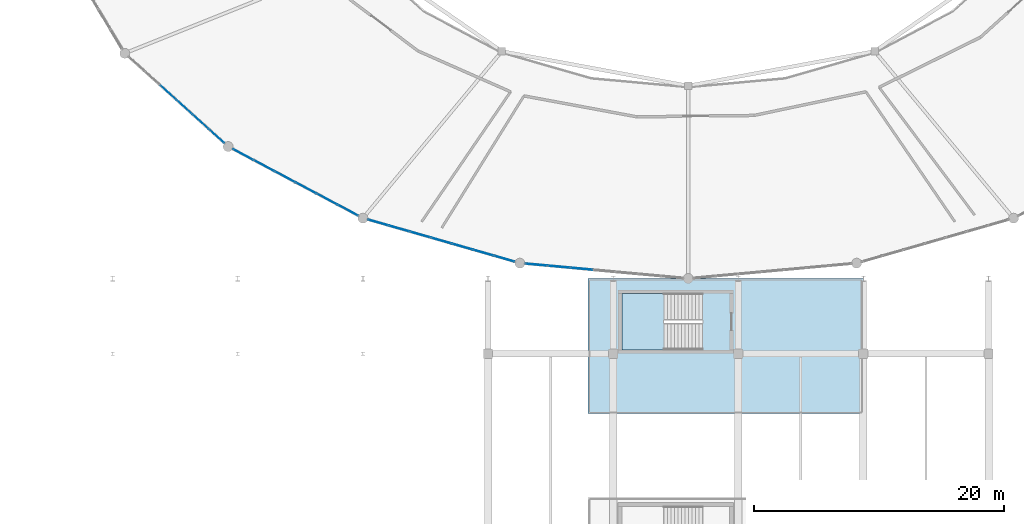
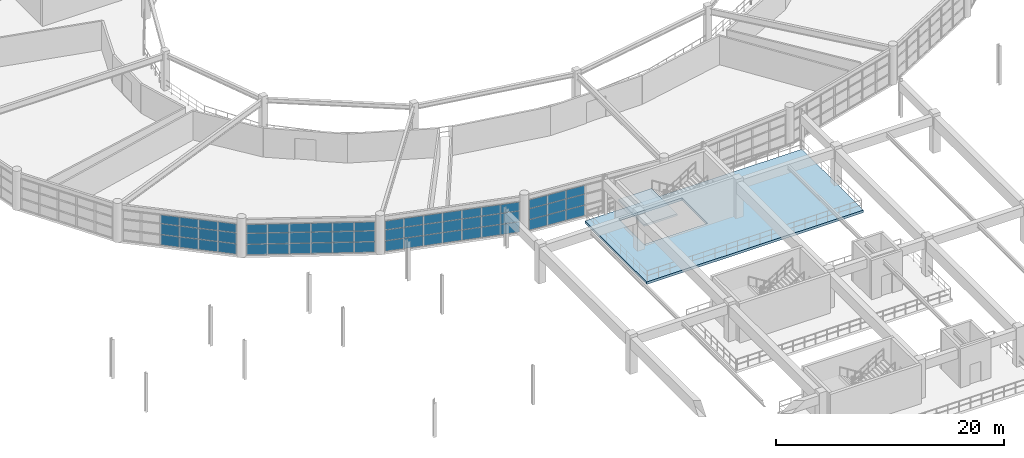
# One storey, part 62 of 100: 60 plates, 2 slabs, 5 elements without a shape of their own.
"""IFC4 building model written with IfcOpenShell, lengths in metres."""

import ifcopenshell
import ifcopenshell.guid

model = None  # the IFC model being written
_history = None  # IfcOwnerHistory: only IFC2X3 demands one
_inside = {}  # id of a spatial element -> (the spatial element, [elements in it])
_under = {}  # id of a project, library or spatial element -> (it, [spatial elements below it])
_declared = {}  # id of a project -> (the project, [libraries it declares])
_typed = {}  # id of a type object -> (the type object, [elements of that type])
_made_of = {}  # id of a material, layer set ... -> (it, [elements and type objects made of it])


def new_model(schema):
    """Start an empty IFC model of exactly this schema.

    Asked for "IFC4X3", IfcOpenShell would pick the latest addendum, in which some entities
    have other attributes; the version numbers below select the first issue.
    IFC2X3 requires an IfcOwnerHistory on every rooted entity: one is made here for all.
    """
    global model, _history
    if schema == "IFC4X3":
        model = ifcopenshell.file(schema_version=(4, 3, 0, 0))
    else:
        model = ifcopenshell.file(schema=schema)
    _inside.clear()
    _under.clear()
    _declared.clear()
    _typed.clear()
    _made_of.clear()
    _history = None
    if model.schema == "IFC2X3":
        org = make("IfcOrganization", Name="unknown")
        user = make(
            "IfcPersonAndOrganization",
            ThePerson=make("IfcPerson", FamilyName="unknown"),
            TheOrganization=org,
        )
        app = make(
            "IfcApplication",
            ApplicationDeveloper=org,
            Version="unknown",
            ApplicationFullName="unknown",
            ApplicationIdentifier="unknown",
        )
        _history = make(
            "IfcOwnerHistory",
            OwningUser=user,
            OwningApplication=app,
            ChangeAction="ADDED",
            CreationDate=0,
        )
    return model


def make(cls, **values):
    """One entity of the class cls with the attributes given. An attribute that is None is left unset."""
    return model.create_entity(
        cls, **{name: value for name, value in values.items() if value is not None}
    )


def rooted(cls, **values):
    """An entity with a GlobalId (a new one), such as an element, a storey or a relation."""
    return make(cls, GlobalId=ifcopenshell.guid.new(), OwnerHistory=_history, **values)


def si_unit(unit_type, name, prefix=None):
    """IfcSIUnit, for example si_unit("LENGTHUNIT", "METRE", prefix="MILLI")."""
    return make("IfcSIUnit", UnitType=unit_type, Prefix=prefix, Name=name)


def assignment(units):
    """IfcUnitAssignment: the units of a project."""
    return None if units is None else make("IfcUnitAssignment", Units=units)


def point(xyz):
    """IfcCartesianPoint."""
    return None if xyz is None else make("IfcCartesianPoint", Coordinates=xyz)


def direction(xyz):
    """IfcDirection."""
    return None if xyz is None else make("IfcDirection", DirectionRatios=xyz)


def frame(location, z_axis=None, x_axis=None):
    """IfcAxis2Placement3D, a coordinate frame: its origin and axes. An axis left out is left unset."""
    return make(
        "IfcAxis2Placement3D",
        Location=point(location),
        Axis=direction(z_axis),
        RefDirection=direction(x_axis),
    )


def frame_2d(location, x_axis=None):
    """IfcAxis2Placement2D, a coordinate frame in the plane: its origin and x axis."""
    return make(
        "IfcAxis2Placement2D", Location=point(location), RefDirection=direction(x_axis)
    )


def origin():
    """The frame at (0, 0, 0) with its axes left unset."""
    return frame((0.0, 0.0, 0.0))


def origin_2d():
    """The frame at (0, 0) in the plane with its x axis left unset."""
    return frame_2d((0.0, 0.0))


def place(relative_to, where):
    """IfcLocalPlacement: puts the frame where relative to a parent placement (None: the world)."""
    return make(
        "IfcLocalPlacement", PlacementRelTo=relative_to, RelativePlacement=where
    )


def context(
    kind, dimensions, precision=None, world=None, true_north=None, identifier=None
):
    """IfcGeometricRepresentationContext, for example the 3D "Model" context."""
    return make(
        "IfcGeometricRepresentationContext",
        ContextIdentifier=identifier,
        ContextType=kind,
        CoordinateSpaceDimension=dimensions,
        Precision=precision,
        WorldCoordinateSystem=world,
        TrueNorth=true_north,
    )


def subcontext(parent, identifier, kind, view, scale=None):
    """IfcGeometricRepresentationSubContext, for example "Body" below "Model"."""
    return make(
        "IfcGeometricRepresentationSubContext",
        ContextIdentifier=identifier,
        ContextType=kind,
        ParentContext=parent,
        TargetScale=scale,
        TargetView=view,
    )


def project(units=None, contexts=None):
    """IfcProject with its units and contexts."""
    return rooted(
        "IfcProject",
        Name="project",
        RepresentationContexts=contexts,
        UnitsInContext=assignment(units),
    )


def spatial(cls, under=None, at=None, **own):
    """A site, building, storey or space (cls), placed at a placement, below another one or the project."""
    s = rooted(cls, ObjectPlacement=at, **own)
    if under is not None:
        _under.setdefault(under.id(), (under, []))[1].append(s)
    return s


def polyline(points):
    """IfcPolyline through the points."""
    return make("IfcPolyline", Points=[point(p) for p in points])


def profile(cls, at=None, kind="AREA", **sizes):
    """A parametric profile (cls). Its sizes go by their IFC names, for example OverallWidth=200.0."""
    return make(cls, ProfileType=kind, Position=at, **sizes)


def rectangle(**sizes):
    """IfcRectangleProfileDef."""
    return profile("IfcRectangleProfileDef", **sizes)


def outline(outer, holes=None, kind="AREA"):
    """IfcArbitraryClosedProfileDef: a profile drawn as a closed curve; with holes, ...WithVoids."""
    if holes is None:
        return make("IfcArbitraryClosedProfileDef", ProfileType=kind, OuterCurve=outer)
    return make(
        "IfcArbitraryProfileDefWithVoids",
        ProfileType=kind,
        OuterCurve=outer,
        InnerCurves=holes,
    )


def extrude(swept, where, along, depth):
    """IfcExtrudedAreaSolid: the profile swept, set in the frame where, extruded along a direction by depth."""
    return make(
        "IfcExtrudedAreaSolid",
        SweptArea=swept,
        Position=where,
        ExtrudedDirection=direction(along),
        Depth=depth,
    )


def shape(context_of_items, identifier, shape_type, items):
    """IfcShapeRepresentation: the items that make up one representation, for example the "Body"."""
    return make(
        "IfcShapeRepresentation",
        ContextOfItems=context_of_items,
        RepresentationIdentifier=identifier,
        RepresentationType=shape_type,
        Items=items,
    )


def material(Name=None, Category=None):
    """IfcMaterial."""
    return make("IfcMaterial", Name=Name, Category=Category)


def layer(
    of_material, thickness, ventilated=None, Name=None, Category=None, Priority=None
):
    """IfcMaterialLayer: one layer of a wall or slab, of a material (None: an air gap)."""
    return make(
        "IfcMaterialLayer",
        Material=of_material,
        LayerThickness=thickness,
        IsVentilated=ventilated,
        Name=Name,
        Category=Category,
        Priority=Priority,
    )


def layer_set(layers, Name=None):
    """IfcMaterialLayerSet."""
    return make("IfcMaterialLayerSet", MaterialLayers=layers, LayerSetName=Name)


def made_of(thing, what):
    """Note that an element or type object is made of a material, layer set ...; save() writes the relation."""
    if what is not None:
        _made_of.setdefault(what.id(), (what, []))[1].append(thing)
    return thing


def type_object(cls, material=None, **own):
    """A type object (cls), such as IfcWallType, which elements share."""
    return made_of(rooted(cls, **own), material)


def element(
    cls,
    number,
    at=None,
    inside=None,
    cuts=None,
    type_object=None,
    material=None,
    context=None,
    identifier="Body",
    shape_type=None,
    held_by="IfcProductDefinitionShape",
    body=None,
    shapes=None,
    **own,
):
    """One element of the class cls, such as IfcWall. Its Tag is "e" and its number.

    at: its placement. inside: the storey or other place that contains it. cuts: it is an
    opening in that element (IfcRelVoidsElement). A single representation is given by context,
    identifier, shape_type and body (its items); several are given by shapes. held_by: the class
    of the entity that holds the representations. save() writes the other relations.
    """
    e = rooted(cls, Tag="e%d" % number, ObjectPlacement=at, **own)
    if body is not None:
        shapes = [shape(context, identifier, shape_type, body)]
    if shapes is not None:
        e.Representation = make(held_by, Representations=shapes)
    if inside is not None:
        _inside.setdefault(inside.id(), (inside, []))[1].append(e)
    if cuts is not None:
        rooted(
            "IfcRelVoidsElement", RelatingBuildingElement=cuts, RelatedOpeningElement=e
        )
    if type_object is not None:
        _typed.setdefault(type_object.id(), (type_object, []))[1].append(e)
    return made_of(e, material)


def aggregate(whole, parts):
    """IfcRelAggregates: a whole, such as a stair, and the parts it consists of."""
    return rooted("IfcRelAggregates", RelatingObject=whole, RelatedObjects=parts)


def save(model, path):
    """Write the relations noted so far, then the file.

    IfcRelAggregates (storeys below a building ...), IfcRelContainedInSpatialStructure (elements
    in a storey), IfcRelDefinesByType, IfcRelAssociatesMaterial and IfcRelDeclares: one each for
    every whole, place, type object, material and project.
    """
    for whole, parts in _under.values():
        aggregate(whole, parts)
    for where, things in _inside.values():
        rooted(
            "IfcRelContainedInSpatialStructure",
            RelatedElements=things,
            RelatingStructure=where,
        )
    for kind, things in _typed.values():
        rooted("IfcRelDefinesByType", RelatedObjects=things, RelatingType=kind)
    for what, things in _made_of.values():
        rooted("IfcRelAssociatesMaterial", RelatedObjects=things, RelatingMaterial=what)
    for by, libraries in _declared.values():
        rooted("IfcRelDeclares", RelatingContext=by, RelatedDefinitions=libraries)
    model.write(path)


model = new_model("IFC4")

# Units and contexts
model_context = context("Model", 3, precision=1e-05, world=origin(), true_north=direction((0.0, 1.0)))
body_context = subcontext(model_context, "Body", "Model", "MODEL_VIEW")
ifc_project = project(units=[si_unit("LENGTHUNIT", "METRE"), si_unit("AREAUNIT", "SQUARE_METRE"), si_unit("VOLUMEUNIT", "CUBIC_METRE"), si_unit("PLANEANGLEUNIT", "RADIAN"), si_unit("MASSUNIT", "GRAM", prefix="KILO")], contexts=[model_context])

# Site, building, storey
site_placement = place(None, origin())
site = spatial("IfcSite", under=ifc_project, at=site_placement, CompositionType="ELEMENT")
building_placement = place(site_placement, origin())
building = spatial("IfcBuilding", under=site, at=building_placement, Name="Kivolera Central Railway Station", CompositionType="ELEMENT")
storey_placement = place(building_placement, frame((0.0, 0.0, 5.39990234375)))
storey = spatial("IfcBuildingStorey", under=building, at=storey_placement, Name="L01", CompositionType="ELEMENT", Elevation=5.39990234375)

# Curtain wall, plates
ifc_material_1 = material(Name="Anodised aluminium", Category="aluminium")
ifc_layer_1 = layer(ifc_material_1, 0.179931640625, Name="Anodised aluminium")
ifc_layer_set_1 = layer_set([ifc_layer_1], Name="Anodised aluminium")
curtain_wall_type_1 = type_object("IfcCurtainWallType", Name="CW-SYS-05", PredefinedType="NOTDEFINED", material=ifc_layer_set_1)
curtain_wall_1_placement = place(storey_placement, origin())
curtain_wall_1 = element("IfcCurtainWall", 1, at=curtain_wall_1_placement, inside=storey, type_object=curtain_wall_type_1, Name="L01 Curtain Wall CW-L01-OVL-14", PredefinedType="NOTDEFINED")
ifc_material_2 = material(Name="Double low-E laminated glass", Category="glass")
ifc_layer_2 = layer(ifc_material_2, 0.02587890625, Name="Double low-E laminated glass")
ifc_layer_set_2 = layer_set([ifc_layer_2], Name="Double low-E laminated glass")
plate_type_1 = type_object("IfcPlateType", Name="CWP-GLZ-1", PredefinedType="CURTAIN_PANEL", material=ifc_layer_set_2)
plate_1_placement = place(storey_placement, frame((26.281005859375, 65.400390625, 0.05810546875), z_axis=(0.0, 0.0, 1.0), x_axis=(-0.742431873669, 0.669921572246, 0.0)))
plate_1 = element("IfcPlate", 2, at=plate_1_placement, type_object=plate_type_1, Name="CW-05 panel 1.1", PredefinedType="CURTAIN_PANEL", context=body_context, shape_type="SweptSolid", body=[
    extrude(rectangle(XDim=1.640625, YDim=0.02587890625, at=origin_2d()), origin(), (0.0, 0.0, 1.0), 1.087890625),
])
plate_2_placement = place(storey_placement, frame((26.281005859375, 65.400390625, 1.192138671875), z_axis=(0.0, 0.0, 1.0), x_axis=(-0.742431873669, 0.669921572246, 0.0)))
plate_2 = element("IfcPlate", 3, at=plate_2_placement, type_object=plate_type_1, Name="CW-05 panel 1.2", PredefinedType="CURTAIN_PANEL", context=body_context, shape_type="SweptSolid", body=[
    extrude(rectangle(XDim=1.640625, YDim=0.02587890625, at=origin_2d()), origin(), (0.0, 0.0, 1.0), 1.123046875),
])
plate_3_placement = place(storey_placement, frame((26.281005859375, 65.400390625, 2.361083984375), z_axis=(0.0, 0.0, 1.0), x_axis=(-0.742431873669, 0.669921572246, 0.0)))
plate_3 = element("IfcPlate", 4, at=plate_3_placement, type_object=plate_type_1, Name="CW-05 panel 1.3", PredefinedType="CURTAIN_PANEL", context=body_context, shape_type="SweptSolid", body=[
    extrude(rectangle(XDim=1.640625, YDim=0.02587890625, at=origin_2d()), origin(), (0.0, 0.0, 1.0), 0.9208984375),
])
plate_4_placement = place(storey_placement, frame((25.015869140625, 66.5419921875, 0.05810546875), z_axis=(0.0, 0.0, 1.0), x_axis=(-0.742431873669, 0.669921572246, 0.0)))
plate_4 = element("IfcPlate", 5, at=plate_4_placement, type_object=plate_type_1, Name="CW-05 panel 2.1", PredefinedType="CURTAIN_PANEL", context=body_context, shape_type="SweptSolid", body=[
    extrude(rectangle(XDim=1.675537109375, YDim=0.02587890625, at=origin_2d()), origin(), (0.0, 0.0, 1.0), 1.087890625),
])
plate_5_placement = place(storey_placement, frame((25.015869140625, 66.5419921875, 1.192138671875), z_axis=(0.0, 0.0, 1.0), x_axis=(-0.742431873669, 0.669921572246, 0.0)))
plate_5 = element("IfcPlate", 6, at=plate_5_placement, type_object=plate_type_1, Name="CW-05 panel 2.2", PredefinedType="CURTAIN_PANEL", context=body_context, shape_type="SweptSolid", body=[
    extrude(rectangle(XDim=1.675537109375, YDim=0.02587890625, at=origin_2d()), origin(), (0.0, 0.0, 1.0), 1.123046875),
])
plate_6_placement = place(storey_placement, frame((25.015869140625, 66.5419921875, 2.361083984375), z_axis=(0.0, 0.0, 1.0), x_axis=(-0.742431873669, 0.669921572246, 0.0)))
plate_6 = element("IfcPlate", 7, at=plate_6_placement, type_object=plate_type_1, Name="CW-05 panel 2.3", PredefinedType="CURTAIN_PANEL", context=body_context, shape_type="SweptSolid", body=[
    extrude(rectangle(XDim=1.675537109375, YDim=0.02587890625, at=origin_2d()), origin(), (0.0, 0.0, 1.0), 0.9208984375),
])
plate_7_placement = place(storey_placement, frame((23.737548828125, 67.6953125, 0.05810546875), z_axis=(0.0, 0.0, 1.0), x_axis=(-0.742431873669, 0.669921572246, 0.0)))
plate_7 = element("IfcPlate", 8, at=plate_7_placement, type_object=plate_type_1, Name="CW-05 panel 3.1", PredefinedType="CURTAIN_PANEL", context=body_context, shape_type="SweptSolid", body=[
    extrude(rectangle(XDim=1.675537109375, YDim=0.02587890625, at=origin_2d()), origin(), (0.0, 0.0, 1.0), 1.087890625),
])
plate_8_placement = place(storey_placement, frame((23.737548828125, 67.6953125, 1.192138671875), z_axis=(0.0, 0.0, 1.0), x_axis=(-0.742431873669, 0.669921572246, 0.0)))
plate_8 = element("IfcPlate", 9, at=plate_8_placement, type_object=plate_type_1, Name="CW-05 panel 3.2", PredefinedType="CURTAIN_PANEL", context=body_context, shape_type="SweptSolid", body=[
    extrude(rectangle(XDim=1.675537109375, YDim=0.02587890625, at=origin_2d()), origin(), (0.0, 0.0, 1.0), 1.123046875),
])
plate_9_placement = place(storey_placement, frame((23.737548828125, 67.6953125, 2.361083984375), z_axis=(0.0, 0.0, 1.0), x_axis=(-0.742431873669, 0.669921572246, 0.0)))
plate_9 = element("IfcPlate", 10, at=plate_9_placement, type_object=plate_type_1, Name="CW-05 panel 3.3", PredefinedType="CURTAIN_PANEL", context=body_context, shape_type="SweptSolid", body=[
    extrude(rectangle(XDim=1.675537109375, YDim=0.02587890625, at=origin_2d()), origin(), (0.0, 0.0, 1.0), 0.9208984375),
])
plate_10_placement = place(storey_placement, frame((22.45947265625, 68.8486328125, 0.05810546875), z_axis=(0.0, 0.0, 1.0), x_axis=(-0.742431873669, 0.669921572246, 0.0)))
plate_10 = element("IfcPlate", 11, at=plate_10_placement, type_object=plate_type_1, Name="CW-05 panel 4.1", PredefinedType="CURTAIN_PANEL", context=body_context, shape_type="SweptSolid", body=[
    extrude(rectangle(XDim=1.675537109375, YDim=0.02587890625, at=origin_2d()), origin(), (0.0, 0.0, 1.0), 1.087890625),
])
plate_11_placement = place(storey_placement, frame((22.45947265625, 68.8486328125, 1.192138671875), z_axis=(0.0, 0.0, 1.0), x_axis=(-0.742431873669, 0.669921572246, 0.0)))
plate_11 = element("IfcPlate", 12, at=plate_11_placement, type_object=plate_type_1, Name="CW-05 panel 4.2", PredefinedType="CURTAIN_PANEL", context=body_context, shape_type="SweptSolid", body=[
    extrude(rectangle(XDim=1.675537109375, YDim=0.02587890625, at=origin_2d()), origin(), (0.0, 0.0, 1.0), 1.123046875),
])
plate_12_placement = place(storey_placement, frame((22.45947265625, 68.8486328125, 2.361083984375), z_axis=(0.0, 0.0, 1.0), x_axis=(-0.742431873669, 0.669921572246, 0.0)))
plate_12 = element("IfcPlate", 13, at=plate_12_placement, type_object=plate_type_1, Name="CW-05 panel 4.3", PredefinedType="CURTAIN_PANEL", context=body_context, shape_type="SweptSolid", body=[
    extrude(rectangle(XDim=1.675537109375, YDim=0.02587890625, at=origin_2d()), origin(), (0.0, 0.0, 1.0), 0.9208984375),
])
aggregate(curtain_wall_1, [plate_1, plate_2, plate_3, plate_4, plate_5, plate_6, plate_7, plate_8, plate_9, plate_10, plate_11, plate_12])

ifc_layer_3 = layer(ifc_material_1, 0.179931640625, Name="Anodised aluminium")
ifc_layer_set_3 = layer_set([ifc_layer_3], Name="Anodised aluminium")
curtain_wall_type_2 = type_object("IfcCurtainWallType", Name="CW-SYS-08", PredefinedType="NOTDEFINED", material=ifc_layer_set_3)
curtain_wall_2_placement = place(storey_placement, origin())
curtain_wall_2 = element("IfcCurtainWall", 14, at=curtain_wall_2_placement, inside=storey, type_object=curtain_wall_type_2, Name="L01 Curtain Wall CW-L01-OVL-15", PredefinedType="NOTDEFINED")
ifc_layer_4 = layer(ifc_material_2, 0.030029296875, Name="Double low-E laminated glass")
ifc_layer_set_4 = layer_set([ifc_layer_4], Name="Double low-E laminated glass")
plate_type_2 = type_object("IfcPlateType", Name="CWP-GLZ-2", PredefinedType="CURTAIN_PANEL", material=ifc_layer_set_4)
plate_13_placement = place(storey_placement, frame((36.79296875, 59.464599609375, 0.05810546875), z_axis=(0.0, 0.0, 1.0), x_axis=(-0.883170250772, 0.46905256438, 0.0)))
plate_13 = element("IfcPlate", 15, at=plate_13_placement, type_object=plate_type_2, Name="CW-08 panel 1.1", PredefinedType="CURTAIN_PANEL", context=body_context, shape_type="SweptSolid", body=[
    extrude(rectangle(XDim=1.818115234375, YDim=0.030029296875, at=origin_2d()), origin(), (0.0, 0.0, 1.0), 1.087890625),
])
plate_14_placement = place(storey_placement, frame((36.79296875, 59.464599609375, 1.192138671875), z_axis=(0.0, 0.0, 1.0), x_axis=(-0.883170250772, 0.46905256438, 0.0)))
plate_14 = element("IfcPlate", 16, at=plate_14_placement, type_object=plate_type_2, Name="CW-08 panel 1.2", PredefinedType="CURTAIN_PANEL", context=body_context, shape_type="SweptSolid", body=[
    extrude(rectangle(XDim=1.818115234375, YDim=0.030029296875, at=origin_2d()), origin(), (0.0, 0.0, 1.0), 1.123046875),
])
plate_15_placement = place(storey_placement, frame((36.79296875, 59.464599609375, 2.361083984375), z_axis=(0.0, 0.0, 1.0), x_axis=(-0.883170250772, 0.46905256438, 0.0)))
plate_15 = element("IfcPlate", 17, at=plate_15_placement, type_object=plate_type_2, Name="CW-08 panel 1.3", PredefinedType="CURTAIN_PANEL", context=body_context, shape_type="SweptSolid", body=[
    extrude(rectangle(XDim=1.818115234375, YDim=0.030029296875, at=origin_2d()), origin(), (0.0, 0.0, 1.0), 0.9208984375),
])
plate_16_placement = place(storey_placement, frame((35.131103515625, 60.34716796875, 0.05810546875), z_axis=(0.0, 0.0, 1.0), x_axis=(-0.883170250772, 0.46905256438, 0.0)))
plate_16 = element("IfcPlate", 18, at=plate_16_placement, type_object=plate_type_2, Name="CW-08 panel 2.1", PredefinedType="CURTAIN_PANEL", context=body_context, shape_type="SweptSolid", body=[
    extrude(rectangle(XDim=1.853271484375, YDim=0.030029296875, at=origin_2d()), origin(), (0.0, 0.0, 1.0), 1.087890625),
])
plate_17_placement = place(storey_placement, frame((35.131103515625, 60.34716796875, 1.192138671875), z_axis=(0.0, 0.0, 1.0), x_axis=(-0.883170250772, 0.46905256438, 0.0)))
plate_17 = element("IfcPlate", 19, at=plate_17_placement, type_object=plate_type_2, Name="CW-08 panel 2.2", PredefinedType="CURTAIN_PANEL", context=body_context, shape_type="SweptSolid", body=[
    extrude(rectangle(XDim=1.853271484375, YDim=0.030029296875, at=origin_2d()), origin(), (0.0, 0.0, 1.0), 1.123046875),
])
plate_18_placement = place(storey_placement, frame((35.131103515625, 60.34716796875, 2.361083984375), z_axis=(0.0, 0.0, 1.0), x_axis=(-0.883170250772, 0.46905256438, 0.0)))
plate_18 = element("IfcPlate", 20, at=plate_18_placement, type_object=plate_type_2, Name="CW-08 panel 2.3", PredefinedType="CURTAIN_PANEL", context=body_context, shape_type="SweptSolid", body=[
    extrude(rectangle(XDim=1.853271484375, YDim=0.030029296875, at=origin_2d()), origin(), (0.0, 0.0, 1.0), 0.9208984375),
])
plate_19_placement = place(storey_placement, frame((33.45361328125, 61.238037109375, 0.05810546875), z_axis=(0.0, 0.0, 1.0), x_axis=(-0.883170250772, 0.46905256438, 0.0)))
plate_19 = element("IfcPlate", 21, at=plate_19_placement, type_object=plate_type_2, Name="CW-08 panel 3.1", PredefinedType="CURTAIN_PANEL", context=body_context, shape_type="SweptSolid", body=[
    extrude(rectangle(XDim=1.853271484375, YDim=0.030029296875, at=origin_2d()), origin(), (0.0, 0.0, 1.0), 1.087890625),
])
plate_20_placement = place(storey_placement, frame((33.45361328125, 61.238037109375, 1.192138671875), z_axis=(0.0, 0.0, 1.0), x_axis=(-0.883170250772, 0.46905256438, 0.0)))
plate_20 = element("IfcPlate", 22, at=plate_20_placement, type_object=plate_type_2, Name="CW-08 panel 3.2", PredefinedType="CURTAIN_PANEL", context=body_context, shape_type="SweptSolid", body=[
    extrude(rectangle(XDim=1.853271484375, YDim=0.030029296875, at=origin_2d()), origin(), (0.0, 0.0, 1.0), 1.123046875),
])
plate_21_placement = place(storey_placement, frame((33.45361328125, 61.238037109375, 2.361083984375), z_axis=(0.0, 0.0, 1.0), x_axis=(-0.883170250772, 0.46905256438, 0.0)))
plate_21 = element("IfcPlate", 23, at=plate_21_placement, type_object=plate_type_2, Name="CW-08 panel 3.3", PredefinedType="CURTAIN_PANEL", context=body_context, shape_type="SweptSolid", body=[
    extrude(rectangle(XDim=1.853271484375, YDim=0.030029296875, at=origin_2d()), origin(), (0.0, 0.0, 1.0), 0.9208984375),
])
plate_22_placement = place(storey_placement, frame((31.7763671875, 62.12890625, 0.05810546875), z_axis=(0.0, 0.0, 1.0), x_axis=(-0.883170250772, 0.46905256438, 0.0)))
plate_22 = element("IfcPlate", 24, at=plate_22_placement, type_object=plate_type_2, Name="CW-08 panel 4.1", PredefinedType="CURTAIN_PANEL", context=body_context, shape_type="SweptSolid", body=[
    extrude(rectangle(XDim=1.853271484375, YDim=0.030029296875, at=origin_2d()), origin(), (0.0, 0.0, 1.0), 1.087890625),
])
plate_23_placement = place(storey_placement, frame((31.7763671875, 62.12890625, 1.192138671875), z_axis=(0.0, 0.0, 1.0), x_axis=(-0.883170250772, 0.46905256438, 0.0)))
plate_23 = element("IfcPlate", 25, at=plate_23_placement, type_object=plate_type_2, Name="CW-08 panel 4.2", PredefinedType="CURTAIN_PANEL", context=body_context, shape_type="SweptSolid", body=[
    extrude(rectangle(XDim=1.853271484375, YDim=0.030029296875, at=origin_2d()), origin(), (0.0, 0.0, 1.0), 1.123046875),
])
plate_24_placement = place(storey_placement, frame((31.7763671875, 62.12890625, 2.361083984375), z_axis=(0.0, 0.0, 1.0), x_axis=(-0.883170250772, 0.46905256438, 0.0)))
plate_24 = element("IfcPlate", 26, at=plate_24_placement, type_object=plate_type_2, Name="CW-08 panel 4.3", PredefinedType="CURTAIN_PANEL", context=body_context, shape_type="SweptSolid", body=[
    extrude(rectangle(XDim=1.853271484375, YDim=0.030029296875, at=origin_2d()), origin(), (0.0, 0.0, 1.0), 0.9208984375),
])
plate_25_placement = place(storey_placement, frame((30.09912109375, 63.019775390625, 0.05810546875), z_axis=(0.0, 0.0, 1.0), x_axis=(-0.883170250772, 0.46905256438, 0.0)))
plate_25 = element("IfcPlate", 27, at=plate_25_placement, type_object=plate_type_2, Name="CW-08 panel 5.1", PredefinedType="CURTAIN_PANEL", context=body_context, shape_type="SweptSolid", body=[
    extrude(rectangle(XDim=1.853271484375, YDim=0.030029296875, at=origin_2d()), origin(), (0.0, 0.0, 1.0), 1.087890625),
])
plate_26_placement = place(storey_placement, frame((30.09912109375, 63.019775390625, 1.192138671875), z_axis=(0.0, 0.0, 1.0), x_axis=(-0.883170250772, 0.46905256438, 0.0)))
plate_26 = element("IfcPlate", 28, at=plate_26_placement, type_object=plate_type_2, Name="CW-08 panel 5.2", PredefinedType="CURTAIN_PANEL", context=body_context, shape_type="SweptSolid", body=[
    extrude(rectangle(XDim=1.853271484375, YDim=0.030029296875, at=origin_2d()), origin(), (0.0, 0.0, 1.0), 1.123046875),
])
plate_27_placement = place(storey_placement, frame((30.09912109375, 63.019775390625, 2.361083984375), z_axis=(0.0, 0.0, 1.0), x_axis=(-0.883170250772, 0.46905256438, 0.0)))
plate_27 = element("IfcPlate", 29, at=plate_27_placement, type_object=plate_type_2, Name="CW-08 panel 5.3", PredefinedType="CURTAIN_PANEL", context=body_context, shape_type="SweptSolid", body=[
    extrude(rectangle(XDim=1.853271484375, YDim=0.030029296875, at=origin_2d()), origin(), (0.0, 0.0, 1.0), 0.9208984375),
])
plate_28_placement = place(storey_placement, frame((28.43701171875, 63.90234375, 0.05810546875), z_axis=(0.0, 0.0, 1.0), x_axis=(-0.883170250772, 0.46905256438, 0.0)))
plate_28 = element("IfcPlate", 30, at=plate_28_placement, type_object=plate_type_2, Name="CW-08 panel 6.1", PredefinedType="CURTAIN_PANEL", context=body_context, shape_type="SweptSolid", body=[
    extrude(rectangle(XDim=1.818115234375, YDim=0.030029296875, at=origin_2d()), origin(), (0.0, 0.0, 1.0), 1.087890625),
])
plate_29_placement = place(storey_placement, frame((28.43701171875, 63.90234375, 1.192138671875), z_axis=(0.0, 0.0, 1.0), x_axis=(-0.883170250772, 0.46905256438, 0.0)))
plate_29 = element("IfcPlate", 31, at=plate_29_placement, type_object=plate_type_2, Name="CW-08 panel 6.2", PredefinedType="CURTAIN_PANEL", context=body_context, shape_type="SweptSolid", body=[
    extrude(rectangle(XDim=1.818115234375, YDim=0.030029296875, at=origin_2d()), origin(), (0.0, 0.0, 1.0), 1.123046875),
])
plate_30_placement = place(storey_placement, frame((28.43701171875, 63.90234375, 2.361083984375), z_axis=(0.0, 0.0, 1.0), x_axis=(-0.883170250772, 0.46905256438, 0.0)))
plate_30 = element("IfcPlate", 32, at=plate_30_placement, type_object=plate_type_2, Name="CW-08 panel 6.3", PredefinedType="CURTAIN_PANEL", context=body_context, shape_type="SweptSolid", body=[
    extrude(rectangle(XDim=1.818115234375, YDim=0.030029296875, at=origin_2d()), origin(), (0.0, 0.0, 1.0), 0.9208984375),
])
aggregate(curtain_wall_2, [plate_13, plate_14, plate_15, plate_16, plate_17, plate_18, plate_19, plate_20, plate_21, plate_22, plate_23, plate_24, plate_25, plate_26, plate_27, plate_28, plate_29, plate_30])

ifc_layer_5 = layer(ifc_material_1, 0.179931640625, Name="Anodised aluminium")
ifc_layer_set_5 = layer_set([ifc_layer_5], Name="Anodised aluminium")
curtain_wall_type_3 = type_object("IfcCurtainWallType", Name="CW-SYS-10", PredefinedType="NOTDEFINED", material=ifc_layer_set_5)
curtain_wall_3_placement = place(storey_placement, origin())
curtain_wall_3 = element("IfcCurtainWall", 33, at=curtain_wall_3_placement, inside=storey, type_object=curtain_wall_type_3, Name="L01 Curtain Wall CW-L01-OVL-16", PredefinedType="NOTDEFINED")
ifc_layer_6 = layer(ifc_material_2, 0.033935546875, Name="Double low-E laminated glass")
ifc_layer_set_6 = layer_set([ifc_layer_6], Name="Double low-E laminated glass")
plate_type_3 = type_object("IfcPlateType", Name="CWP-GLZ-3", PredefinedType="CURTAIN_PANEL", material=ifc_layer_set_6)
plate_31_placement = place(storey_placement, frame((49.29833984375, 55.5830078125, 0.05810546875), z_axis=(0.0, 0.0, 1.0), x_axis=(-0.961246112288, 0.275691696668, 0.0)))
plate_31 = element("IfcPlate", 34, at=plate_31_placement, type_object=plate_type_3, Name="CW-10 panel 1.1", PredefinedType="CURTAIN_PANEL", context=body_context, shape_type="SweptSolid", body=[
    extrude(rectangle(XDim=1.66845703125, YDim=0.033935546875, at=origin_2d()), origin(), (0.0, 0.0, 1.0), 1.087890625),
])
plate_32_placement = place(storey_placement, frame((49.29833984375, 55.5830078125, 1.192138671875), z_axis=(0.0, 0.0, 1.0), x_axis=(-0.961246112288, 0.275691696668, 0.0)))
plate_32 = element("IfcPlate", 35, at=plate_32_placement, type_object=plate_type_3, Name="CW-10 panel 1.2", PredefinedType="CURTAIN_PANEL", context=body_context, shape_type="SweptSolid", body=[
    extrude(rectangle(XDim=1.66845703125, YDim=0.033935546875, at=origin_2d()), origin(), (0.0, 0.0, 1.0), 1.123046875),
])
plate_33_placement = place(storey_placement, frame((49.29833984375, 55.5830078125, 2.361083984375), z_axis=(0.0, 0.0, 1.0), x_axis=(-0.961246112288, 0.275691696668, 0.0)))
plate_33 = element("IfcPlate", 36, at=plate_33_placement, type_object=plate_type_3, Name="CW-10 panel 1.3", PredefinedType="CURTAIN_PANEL", context=body_context, shape_type="SweptSolid", body=[
    extrude(rectangle(XDim=1.66845703125, YDim=0.033935546875, at=origin_2d()), origin(), (0.0, 0.0, 1.0), 0.9208984375),
])
plate_34_placement = place(storey_placement, frame((47.633544921875, 56.060546875, 0.05810546875), z_axis=(0.0, 0.0, 1.0), x_axis=(-0.961246112288, 0.275691696668, 0.0)))
plate_34 = element("IfcPlate", 37, at=plate_34_placement, type_object=plate_type_3, Name="CW-10 panel 2.1", PredefinedType="CURTAIN_PANEL", context=body_context, shape_type="SweptSolid", body=[
    extrude(rectangle(XDim=1.703369140625, YDim=0.033935546875, at=origin_2d()), origin(), (0.0, 0.0, 1.0), 1.087890625),
])
plate_35_placement = place(storey_placement, frame((47.633544921875, 56.060546875, 1.192138671875), z_axis=(0.0, 0.0, 1.0), x_axis=(-0.961246112288, 0.275691696668, 0.0)))
plate_35 = element("IfcPlate", 38, at=plate_35_placement, type_object=plate_type_3, Name="CW-10 panel 2.2", PredefinedType="CURTAIN_PANEL", context=body_context, shape_type="SweptSolid", body=[
    extrude(rectangle(XDim=1.703369140625, YDim=0.033935546875, at=origin_2d()), origin(), (0.0, 0.0, 1.0), 1.123046875),
])
plate_36_placement = place(storey_placement, frame((47.633544921875, 56.060546875, 2.361083984375), z_axis=(0.0, 0.0, 1.0), x_axis=(-0.961246112288, 0.275691696668, 0.0)))
plate_36 = element("IfcPlate", 39, at=plate_36_placement, type_object=plate_type_3, Name="CW-10 panel 2.3", PredefinedType="CURTAIN_PANEL", context=body_context, shape_type="SweptSolid", body=[
    extrude(rectangle(XDim=1.703369140625, YDim=0.033935546875, at=origin_2d()), origin(), (0.0, 0.0, 1.0), 0.9208984375),
])
plate_37_placement = place(storey_placement, frame((45.9521484375, 56.542724609375, 0.05810546875), z_axis=(0.0, 0.0, 1.0), x_axis=(-0.961246112288, 0.275691696668, 0.0)))
plate_37 = element("IfcPlate", 40, at=plate_37_placement, type_object=plate_type_3, Name="CW-10 panel 3.1", PredefinedType="CURTAIN_PANEL", context=body_context, shape_type="SweptSolid", body=[
    extrude(rectangle(XDim=1.703369140625, YDim=0.033935546875, at=origin_2d()), origin(), (0.0, 0.0, 1.0), 1.087890625),
])
plate_38_placement = place(storey_placement, frame((45.9521484375, 56.542724609375, 1.192138671875), z_axis=(0.0, 0.0, 1.0), x_axis=(-0.961246112288, 0.275691696668, 0.0)))
plate_38 = element("IfcPlate", 41, at=plate_38_placement, type_object=plate_type_3, Name="CW-10 panel 3.2", PredefinedType="CURTAIN_PANEL", context=body_context, shape_type="SweptSolid", body=[
    extrude(rectangle(XDim=1.703369140625, YDim=0.033935546875, at=origin_2d()), origin(), (0.0, 0.0, 1.0), 1.123046875),
])
plate_39_placement = place(storey_placement, frame((45.9521484375, 56.542724609375, 2.361083984375), z_axis=(0.0, 0.0, 1.0), x_axis=(-0.961246112288, 0.275691696668, 0.0)))
plate_39 = element("IfcPlate", 42, at=plate_39_placement, type_object=plate_type_3, Name="CW-10 panel 3.3", PredefinedType="CURTAIN_PANEL", context=body_context, shape_type="SweptSolid", body=[
    extrude(rectangle(XDim=1.703369140625, YDim=0.033935546875, at=origin_2d()), origin(), (0.0, 0.0, 1.0), 0.9208984375),
])
plate_40_placement = place(storey_placement, frame((44.2705078125, 57.02490234375, 0.05810546875), z_axis=(0.0, 0.0, 1.0), x_axis=(-0.961246112288, 0.275691696668, 0.0)))
plate_40 = element("IfcPlate", 43, at=plate_40_placement, type_object=plate_type_3, Name="CW-10 panel 4.1", PredefinedType="CURTAIN_PANEL", context=body_context, shape_type="SweptSolid", body=[
    extrude(rectangle(XDim=1.703369140625, YDim=0.033935546875, at=origin_2d()), origin(), (0.0, 0.0, 1.0), 1.087890625),
])
plate_41_placement = place(storey_placement, frame((44.2705078125, 57.02490234375, 1.192138671875), z_axis=(0.0, 0.0, 1.0), x_axis=(-0.961246112288, 0.275691696668, 0.0)))
plate_41 = element("IfcPlate", 44, at=plate_41_placement, type_object=plate_type_3, Name="CW-10 panel 4.2", PredefinedType="CURTAIN_PANEL", context=body_context, shape_type="SweptSolid", body=[
    extrude(rectangle(XDim=1.703369140625, YDim=0.033935546875, at=origin_2d()), origin(), (0.0, 0.0, 1.0), 1.123046875),
])
plate_42_placement = place(storey_placement, frame((44.2705078125, 57.02490234375, 2.361083984375), z_axis=(0.0, 0.0, 1.0), x_axis=(-0.961246112288, 0.275691696668, 0.0)))
plate_42 = element("IfcPlate", 45, at=plate_42_placement, type_object=plate_type_3, Name="CW-10 panel 4.3", PredefinedType="CURTAIN_PANEL", context=body_context, shape_type="SweptSolid", body=[
    extrude(rectangle(XDim=1.703369140625, YDim=0.033935546875, at=origin_2d()), origin(), (0.0, 0.0, 1.0), 0.9208984375),
])
plate_43_placement = place(storey_placement, frame((42.5888671875, 57.50732421875, 0.05810546875), z_axis=(0.0, 0.0, 1.0), x_axis=(-0.961246112288, 0.275691696668, 0.0)))
plate_43 = element("IfcPlate", 46, at=plate_43_placement, type_object=plate_type_3, Name="CW-10 panel 5.1", PredefinedType="CURTAIN_PANEL", context=body_context, shape_type="SweptSolid", body=[
    extrude(rectangle(XDim=1.703369140625, YDim=0.033935546875, at=origin_2d()), origin(), (0.0, 0.0, 1.0), 1.087890625),
])
plate_44_placement = place(storey_placement, frame((42.5888671875, 57.50732421875, 1.192138671875), z_axis=(0.0, 0.0, 1.0), x_axis=(-0.961246112288, 0.275691696668, 0.0)))
plate_44 = element("IfcPlate", 47, at=plate_44_placement, type_object=plate_type_3, Name="CW-10 panel 5.2", PredefinedType="CURTAIN_PANEL", context=body_context, shape_type="SweptSolid", body=[
    extrude(rectangle(XDim=1.703369140625, YDim=0.033935546875, at=origin_2d()), origin(), (0.0, 0.0, 1.0), 1.123046875),
])
plate_45_placement = place(storey_placement, frame((42.5888671875, 57.50732421875, 2.361083984375), z_axis=(0.0, 0.0, 1.0), x_axis=(-0.961246112288, 0.275691696668, 0.0)))
plate_45 = element("IfcPlate", 48, at=plate_45_placement, type_object=plate_type_3, Name="CW-10 panel 5.3", PredefinedType="CURTAIN_PANEL", context=body_context, shape_type="SweptSolid", body=[
    extrude(rectangle(XDim=1.703369140625, YDim=0.033935546875, at=origin_2d()), origin(), (0.0, 0.0, 1.0), 0.9208984375),
])
plate_46_placement = place(storey_placement, frame((40.907470703125, 57.989501953125, 0.05810546875), z_axis=(0.0, 0.0, 1.0), x_axis=(-0.961246112288, 0.275691696668, 0.0)))
plate_46 = element("IfcPlate", 49, at=plate_46_placement, type_object=plate_type_3, Name="CW-10 panel 6.1", PredefinedType="CURTAIN_PANEL", context=body_context, shape_type="SweptSolid", body=[
    extrude(rectangle(XDim=1.703369140625, YDim=0.033935546875, at=origin_2d()), origin(), (0.0, 0.0, 1.0), 1.087890625),
])
plate_47_placement = place(storey_placement, frame((40.907470703125, 57.989501953125, 1.192138671875), z_axis=(0.0, 0.0, 1.0), x_axis=(-0.961246112288, 0.275691696668, 0.0)))
plate_47 = element("IfcPlate", 50, at=plate_47_placement, type_object=plate_type_3, Name="CW-10 panel 6.2", PredefinedType="CURTAIN_PANEL", context=body_context, shape_type="SweptSolid", body=[
    extrude(rectangle(XDim=1.703369140625, YDim=0.033935546875, at=origin_2d()), origin(), (0.0, 0.0, 1.0), 1.123046875),
])
plate_48_placement = place(storey_placement, frame((40.907470703125, 57.989501953125, 2.361083984375), z_axis=(0.0, 0.0, 1.0), x_axis=(-0.961246112288, 0.275691696668, 0.0)))
plate_48 = element("IfcPlate", 51, at=plate_48_placement, type_object=plate_type_3, Name="CW-10 panel 6.3", PredefinedType="CURTAIN_PANEL", context=body_context, shape_type="SweptSolid", body=[
    extrude(rectangle(XDim=1.703369140625, YDim=0.033935546875, at=origin_2d()), origin(), (0.0, 0.0, 1.0), 0.9208984375),
])
plate_49_placement = place(storey_placement, frame((39.24267578125, 58.467041015625, 0.05810546875), z_axis=(0.0, 0.0, 1.0), x_axis=(-0.961246112288, 0.275691696668, 0.0)))
plate_49 = element("IfcPlate", 52, at=plate_49_placement, type_object=plate_type_3, Name="CW-10 panel 7.1", PredefinedType="CURTAIN_PANEL", context=body_context, shape_type="SweptSolid", body=[
    extrude(rectangle(XDim=1.66845703125, YDim=0.033935546875, at=origin_2d()), origin(), (0.0, 0.0, 1.0), 1.087890625),
])
plate_50_placement = place(storey_placement, frame((39.24267578125, 58.467041015625, 1.192138671875), z_axis=(0.0, 0.0, 1.0), x_axis=(-0.961246112288, 0.275691696668, 0.0)))
plate_50 = element("IfcPlate", 53, at=plate_50_placement, type_object=plate_type_3, Name="CW-10 panel 7.2", PredefinedType="CURTAIN_PANEL", context=body_context, shape_type="SweptSolid", body=[
    extrude(rectangle(XDim=1.66845703125, YDim=0.033935546875, at=origin_2d()), origin(), (0.0, 0.0, 1.0), 1.123046875),
])
plate_51_placement = place(storey_placement, frame((39.24267578125, 58.467041015625, 2.361083984375), z_axis=(0.0, 0.0, 1.0), x_axis=(-0.961246112288, 0.275691696668, 0.0)))
plate_51 = element("IfcPlate", 54, at=plate_51_placement, type_object=plate_type_3, Name="CW-10 panel 7.3", PredefinedType="CURTAIN_PANEL", context=body_context, shape_type="SweptSolid", body=[
    extrude(rectangle(XDim=1.66845703125, YDim=0.033935546875, at=origin_2d()), origin(), (0.0, 0.0, 1.0), 0.9208984375),
])
aggregate(curtain_wall_3, [plate_31, plate_32, plate_33, plate_34, plate_35, plate_36, plate_37, plate_38, plate_39, plate_40, plate_41, plate_42, plate_43, plate_44, plate_45, plate_46, plate_47, plate_48, plate_49, plate_50, plate_51])

ifc_layer_7 = layer(ifc_material_1, 0.179931640625, Name="Anodised aluminium")
ifc_layer_set_7 = layer_set([ifc_layer_7], Name="Anodised aluminium")
curtain_wall_type_4 = type_object("IfcCurtainWallType", Name="CW-SYS-12", PredefinedType="NOTDEFINED", material=ifc_layer_set_7)
curtain_wall_4_placement = place(storey_placement, origin())
curtain_wall_4 = element("IfcCurtainWall", 55, at=curtain_wall_4_placement, inside=storey, type_object=curtain_wall_type_4, Name="L01 Curtain Wall CW-L01-OVL-17", PredefinedType="NOTDEFINED")
plate_52_placement = place(storey_placement, frame((55.46142578125, 54.778564453125, 0.05810546875), z_axis=(0.0, 0.0, 1.0), x_axis=(-0.995866087555, 0.090833560193, 0.0)))
plate_52 = element("IfcPlate", 56, at=plate_52_placement, type_object=plate_type_3, Name="CW-12 panel 5.1", PredefinedType="CURTAIN_PANEL", context=body_context, shape_type="SweptSolid", body=[
    extrude(rectangle(XDim=1.7705078125, YDim=0.033935546875, at=origin_2d()), origin(), (0.0, 0.0, 1.0), 1.087890625),
])
plate_53_placement = place(storey_placement, frame((55.46142578125, 54.778564453125, 1.192138671875), z_axis=(0.0, 0.0, 1.0), x_axis=(-0.995866087555, 0.090833560193, 0.0)))
plate_53 = element("IfcPlate", 57, at=plate_53_placement, type_object=plate_type_3, Name="CW-12 panel 5.2", PredefinedType="CURTAIN_PANEL", context=body_context, shape_type="SweptSolid", body=[
    extrude(rectangle(XDim=1.7705078125, YDim=0.033935546875, at=origin_2d()), origin(), (0.0, 0.0, 1.0), 1.123046875),
])
plate_54_placement = place(storey_placement, frame((55.46142578125, 54.778564453125, 2.361083984375), z_axis=(0.0, 0.0, 1.0), x_axis=(-0.995866087555, 0.090833560193, 0.0)))
plate_54 = element("IfcPlate", 58, at=plate_54_placement, type_object=plate_type_3, Name="CW-12 panel 5.3", PredefinedType="CURTAIN_PANEL", context=body_context, shape_type="SweptSolid", body=[
    extrude(rectangle(XDim=1.7705078125, YDim=0.033935546875, at=origin_2d()), origin(), (0.0, 0.0, 1.0), 0.9208984375),
])
plate_55_placement = place(storey_placement, frame((53.652587890625, 54.943603515625, 0.05810546875), z_axis=(0.0, 0.0, 1.0), x_axis=(-0.995866087555, 0.090833560193, 0.0)))
plate_55 = element("IfcPlate", 59, at=plate_55_placement, type_object=plate_type_3, Name="CW-12 panel 6.1", PredefinedType="CURTAIN_PANEL", context=body_context, shape_type="SweptSolid", body=[
    extrude(rectangle(XDim=1.7705078125, YDim=0.033935546875, at=origin_2d()), origin(), (0.0, 0.0, 1.0), 1.087890625),
])
plate_56_placement = place(storey_placement, frame((53.652587890625, 54.943603515625, 1.192138671875), z_axis=(0.0, 0.0, 1.0), x_axis=(-0.995866087555, 0.090833560193, 0.0)))
plate_56 = element("IfcPlate", 60, at=plate_56_placement, type_object=plate_type_3, Name="CW-12 panel 6.2", PredefinedType="CURTAIN_PANEL", context=body_context, shape_type="SweptSolid", body=[
    extrude(rectangle(XDim=1.7705078125, YDim=0.033935546875, at=origin_2d()), origin(), (0.0, 0.0, 1.0), 1.123046875),
])
plate_57_placement = place(storey_placement, frame((53.652587890625, 54.943603515625, 2.361083984375), z_axis=(0.0, 0.0, 1.0), x_axis=(-0.995866087555, 0.090833560193, 0.0)))
plate_57 = element("IfcPlate", 61, at=plate_57_placement, type_object=plate_type_3, Name="CW-12 panel 6.3", PredefinedType="CURTAIN_PANEL", context=body_context, shape_type="SweptSolid", body=[
    extrude(rectangle(XDim=1.7705078125, YDim=0.033935546875, at=origin_2d()), origin(), (0.0, 0.0, 1.0), 0.9208984375),
])
plate_58_placement = place(storey_placement, frame((51.86083984375, 55.10693359375, 0.05810546875), z_axis=(0.0, 0.0, 1.0), x_axis=(-0.995866087555, 0.090833560193, 0.0)))
plate_58 = element("IfcPlate", 62, at=plate_58_placement, type_object=plate_type_3, Name="CW-12 panel 7.1", PredefinedType="CURTAIN_PANEL", context=body_context, shape_type="SweptSolid", body=[
    extrude(rectangle(XDim=1.735595703125, YDim=0.033935546875, at=origin_2d()), origin(), (0.0, 0.0, 1.0), 1.087890625),
])
plate_59_placement = place(storey_placement, frame((51.86083984375, 55.10693359375, 1.192138671875), z_axis=(0.0, 0.0, 1.0), x_axis=(-0.995866087555, 0.090833560193, 0.0)))
plate_59 = element("IfcPlate", 63, at=plate_59_placement, type_object=plate_type_3, Name="CW-12 panel 7.2", PredefinedType="CURTAIN_PANEL", context=body_context, shape_type="SweptSolid", body=[
    extrude(rectangle(XDim=1.735595703125, YDim=0.033935546875, at=origin_2d()), origin(), (0.0, 0.0, 1.0), 1.123046875),
])
plate_60_placement = place(storey_placement, frame((51.86083984375, 55.10693359375, 2.361083984375), z_axis=(0.0, 0.0, 1.0), x_axis=(-0.995866087555, 0.090833560193, 0.0)))
plate_60 = element("IfcPlate", 64, at=plate_60_placement, type_object=plate_type_3, Name="CW-12 panel 7.3", PredefinedType="CURTAIN_PANEL", context=body_context, shape_type="SweptSolid", body=[
    extrude(rectangle(XDim=1.735595703125, YDim=0.033935546875, at=origin_2d()), origin(), (0.0, 0.0, 1.0), 0.9208984375),
])
aggregate(curtain_wall_4, [plate_52, plate_53, plate_54, plate_55, plate_56, plate_57, plate_58, plate_59, plate_60])

# Slab
ifc_material_3 = material(Name="Concrete C40/50", Category="concrete")
ifc_layer_8 = layer(ifc_material_3, 0.27001953125, Name="Concrete C40/50")
ifc_layer_set_8 = layer_set([ifc_layer_8], Name="Concrete C40/50")
slab_type_1 = type_object("IfcSlabType", Name="SLB-FLR-270", PredefinedType="FLOOR", material=ifc_layer_set_8)
slab_1_placement = place(storey_placement, frame((0.0, 0.0, -0.27001953125)))
element("IfcSlab", 65, at=slab_1_placement, inside=storey, type_object=slab_type_1, Name="L01 Platform 3 Mezzanine Landing Slab", PredefinedType="FLOOR", context=body_context, shape_type="SweptSolid", body=[
    extrude(outline(polyline([(56.0, 43.199951171875), (78.0, 43.199951171875), (78.0, 54.0), (56.0, 54.0), (56.0, 43.199951171875)]), holes=[polyline([(65.139892578125, 52.800048828125), (58.699951171875, 52.800048828125), (58.699951171875, 48.300048828125), (65.139892578125, 48.300048828125), (65.139892578125, 52.800048828125)])]), origin(), (0.0, 0.0, 1.0), 0.27001953125),
])

# Stair, slab
stair_type = type_object("IfcStairType", Name="STR-2160-24", PredefinedType="HALF_TURN_STAIR", material=ifc_material_3)
stair_placement = place(storey_placement, origin())
stair = element("IfcStair", 66, at=stair_placement, inside=storey, type_object=stair_type, Name="L01 Platform 3 Interchange Exit Stair ST8", PredefinedType="HALF_TURN_STAIR")
ifc_layer_9 = layer(ifc_material_3, 0.199951171875, Name="Concrete C40/50")
ifc_layer_set_9 = layer_set([ifc_layer_9], Name="Concrete C40/50")
slab_type_2 = type_object("IfcSlabType", Name="SLB-LND-200", PredefinedType="LANDING", material=ifc_layer_set_9)
slab_2_placement = place(storey_placement, frame((0.0, 0.0, 1.900146484375)))
slab_2 = element("IfcSlab", 67, at=slab_2_placement, type_object=slab_type_2, Name="ST8 landing 1", PredefinedType="LANDING", context=body_context, shape_type="SweptSolid", body=[
    extrude(outline(polyline([(62.06005859375, 52.800048828125), (58.699951171875, 52.800048828125), (58.699951171875, 48.300048828125), (62.06005859375, 48.300048828125), (62.06005859375, 52.800048828125)])), origin(), (0.0, 0.0, 1.0), 0.199951171875),
])
aggregate(stair, [slab_2])

save(model, "model.ifc")
